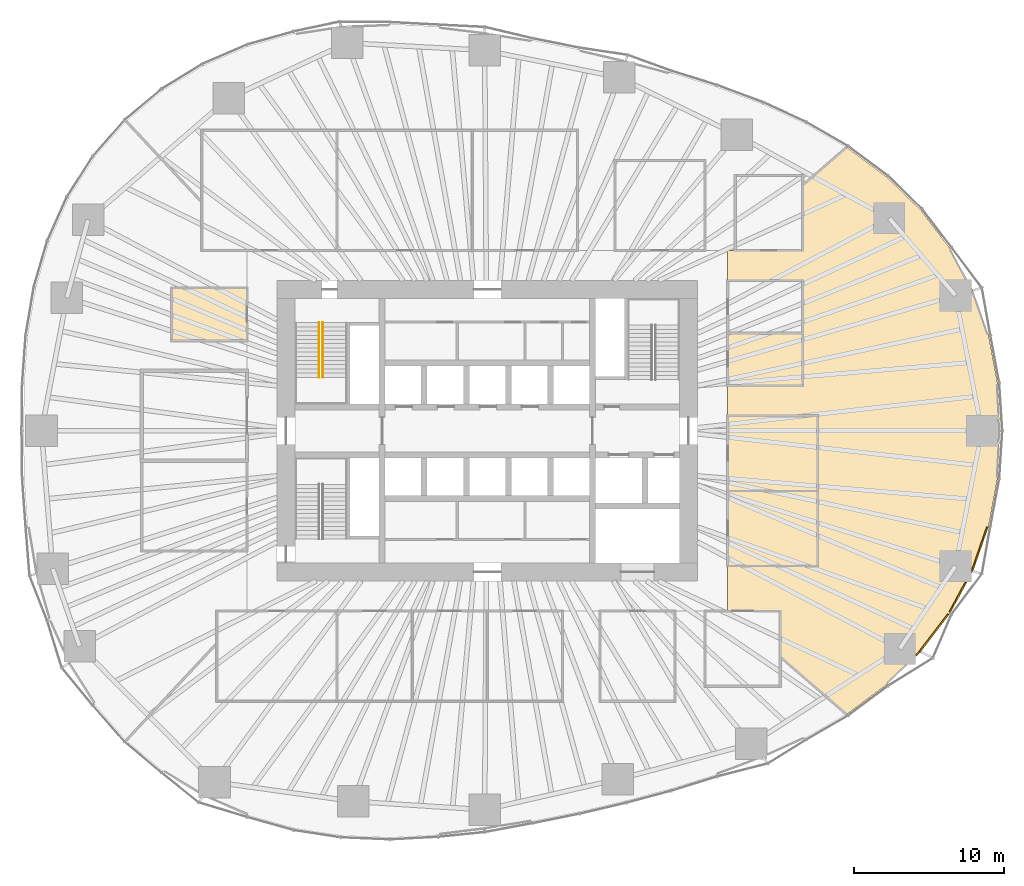
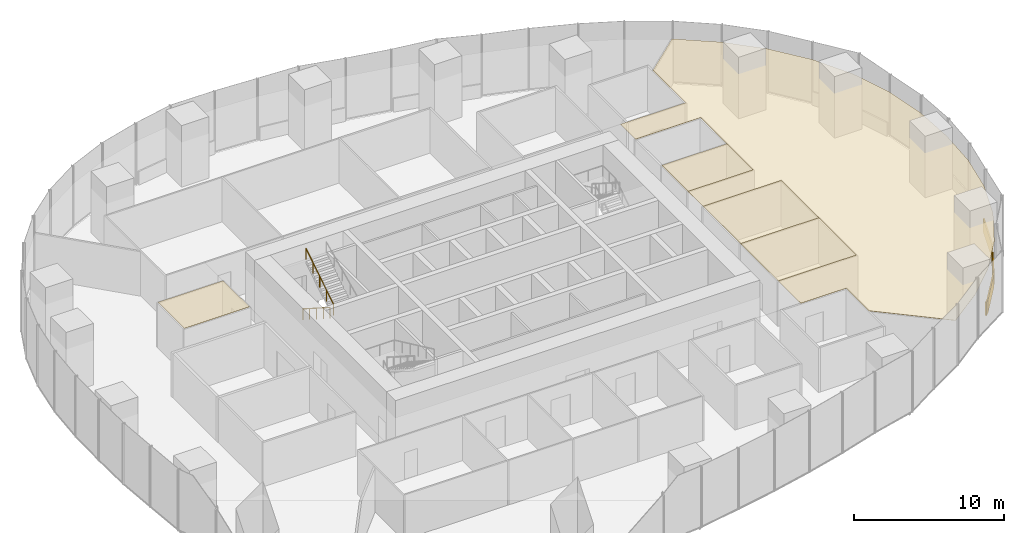
# One storey, part 18 of 20: 9 coverings, 2 railings.
"""IFC4 building model written with IfcOpenShell, lengths in metres."""

from ifc_helpers import new_model, si_unit, direction, frame, origin, origin_2d, place, context, subcontext, project, spatial, polyline, rectangle, circle, outline, extrude, material, layer, layer_set, type_object, element, save


model = new_model("IFC4")

# Units and contexts
model_context = context("Model", 3, precision=1e-05, world=origin(), true_north=direction((0.0, 1.0)))
body_context = subcontext(model_context, "Body", "Model", "MODEL_VIEW")
ifc_project = project(units=[si_unit("LENGTHUNIT", "METRE"), si_unit("AREAUNIT", "SQUARE_METRE"), si_unit("VOLUMEUNIT", "CUBIC_METRE"), si_unit("PLANEANGLEUNIT", "RADIAN"), si_unit("MASSUNIT", "GRAM", prefix="KILO")], contexts=[model_context])

# Site, building, storey
site_placement = place(None, origin())
site = spatial("IfcSite", under=ifc_project, at=site_placement, CompositionType="ELEMENT")
building_placement = place(site_placement, origin())
building = spatial("IfcBuilding", under=site, at=building_placement, Name="Ghaith Harvest Tower", CompositionType="ELEMENT")
storey_placement = place(building_placement, frame((0.0, 0.0, 25.0)))
storey = spatial("IfcBuildingStorey", under=building, at=storey_placement, Name="L05", CompositionType="ELEMENT", Elevation=25.0)

# Coverings
ifc_material_1 = material(Name="Mineral fibre ceiling tile", Category="gypsum")
ifc_layer_1 = layer(ifc_material_1, 0.02490234375)
ifc_layer_set_1 = layer_set([ifc_layer_1], Name="CEILING C2")
covering_type_1 = type_object("IfcCoveringType", Name="CEILING C2", PredefinedType="CEILING", material=ifc_layer_set_1)
covering_1_placement = place(storey_placement, frame((0.0, 0.0, 3.60009765625)))
element("IfcCovering", 1, at=covering_1_placement, inside=storey, type_object=covering_type_1, Name="Ceiling L05-10", PredefinedType="CEILING", context=body_context, shape_type="SweptSolid", body=[
    extrude(outline(polyline([(16.0, -9.0), (22.0, -9.0), (22.0, -4.0), (16.0, -4.0), (16.0, -9.0)])), origin(), (0.0, 0.0, 1.0), 0.02490234375),
])
covering_2_placement = place(storey_placement, frame((0.0, 0.0, 3.60009765625)))
element("IfcCovering", 2, at=covering_2_placement, inside=storey, type_object=covering_type_1, Name="Ceiling L05-11", PredefinedType="CEILING", context=body_context, shape_type="SweptSolid", body=[
    extrude(outline(polyline([(16.0, -4.0), (22.0, -4.0), (22.0, 1.0), (16.0, 1.0), (16.0, -4.0)])), origin(), (0.0, 0.0, 1.0), 0.02490234375),
])
covering_3_placement = place(storey_placement, frame((0.0, 0.0, 3.60009765625)))
element("IfcCovering", 3, at=covering_3_placement, inside=storey, type_object=covering_type_1, Name="Ceiling L05-16", PredefinedType="CEILING", context=body_context, shape_type="SweptSolid", body=[
    extrude(outline(polyline([(16.0, 3.0), (21.0, 3.0), (21.0, 6.5), (16.0, 6.5), (16.0, 3.0)])), origin(), (0.0, 0.0, 1.0), 0.02490234375),
])
covering_4_placement = place(storey_placement, frame((0.0, 0.0, 3.60009765625)))
element("IfcCovering", 4, at=covering_4_placement, inside=storey, type_object=covering_type_1, Name="Ceiling L05-18", PredefinedType="CEILING", context=body_context, shape_type="SweptSolid", body=[
    extrude(outline(polyline([(-21.0, 6.0), (-16.0, 6.0), (-16.0, 9.5), (-21.0, 9.5), (-21.0, 6.0)])), origin(), (0.0, 0.0, 1.0), 0.02490234375),
])
covering_5_placement = place(storey_placement, frame((0.0, 0.0, 3.60009765625)))
element("IfcCovering", 5, at=covering_5_placement, inside=storey, type_object=covering_type_1, Name="Ceiling L05-E1", PredefinedType="CEILING", context=body_context, shape_type="SweptSolid", body=[
    extrude(outline(polyline([(28.840087890625, 14.708984375), (30.78515625, 12.1708984375), (32.318359375, 9.3408203125), (33.37158203125, 6.333984375), (33.95849609375, 3.194091796875), (34.125, 0.0), (33.95849609375, -3.194091796875), (33.37158203125, -6.333984375), (32.318359375, -9.3408203125), (30.78515625, -12.1708984375), (28.840087890625, -14.708984375), (26.572509765625, -16.9111328125), (23.92431640625, -18.873046875), (19.5, -15.03564453125), (19.5, -12.0), (16.0, -12.0), (16.0, -9.0), (22.0, -9.0), (22.0, 1.0), (16.0, 1.0), (16.0, 3.0), (21.0, 3.0), (21.0, 10.0), (16.0, 10.0), (16.0, 12.0), (21.0, 12.0), (21.0, 16.336669921875), (23.92431640625, 18.873046875), (26.572509765625, 16.9111328125), (28.840087890625, 14.708984375)])), origin(), (0.0, 0.0, 1.0), 0.02490234375),
])

# Railings
ifc_material_2 = material(Name="Steel, black powder-coated", Category="steel")
railing_type = type_object("IfcRailingType", Name="HANDRAIL HR1", PredefinedType="HANDRAIL", material=ifc_material_2)
railing_1_placement = place(storey_placement, frame((-11.199951171875, 7.199951171875, 0.178466796875)))
element("IfcRailing", 6, at=railing_1_placement, inside=storey, type_object=railing_type, Name="Handrail HR1 stair ST1 L05 flight 1 inner", PredefinedType="HANDRAIL", context=body_context, shape_type="SweptSolid", body=[
    extrude(circle(Radius=0.02392578125, at=origin_2d()), frame((0.0, 0.0, 0.8759765625), z_axis=(0.0, -0.843111507901, 0.53773877045), x_axis=(1.0, 0.0, 0.0)), (0.0, 0.0, 1.0), 4.317138671875),
    extrude(circle(Radius=0.02099609375, at=origin_2d()), origin(), (0.0, 0.0, 1.0), 0.851806640625),
    extrude(circle(Radius=0.02099609375, at=origin_2d()), frame((0.0, -0.909912109375, 0.580322265625)), (0.0, 0.0, 1.0), 0.851806640625),
    extrude(circle(Radius=0.02099609375, at=origin_2d()), frame((0.0, -1.81982421875, 1.16064453125)), (0.0, 0.0, 1.0), 0.851806640625),
    extrude(circle(Radius=0.02099609375, at=origin_2d()), frame((0.0, -2.72998046875, 1.7412109375)), (0.0, 0.0, 1.0), 0.851806640625),
    extrude(circle(Radius=0.02099609375, at=origin_2d()), frame((0.0, -3.639892578125, 2.321533203125)), (0.0, 0.0, 1.0), 0.851806640625),
])
railing_2_placement = place(storey_placement, frame((-10.949951171875, 3.56005859375, 2.678466796875)))
element("IfcRailing", 7, at=railing_2_placement, inside=storey, type_object=railing_type, Name="Handrail HR1 stair ST1 L05 flight 2 inner", PredefinedType="HANDRAIL", context=body_context, shape_type="SweptSolid", body=[
    extrude(circle(Radius=0.02392578125, at=origin_2d()), frame((0.0, 0.0, 0.8759765625), z_axis=(0.0, 0.843111507901, 0.53773877045), x_axis=(-1.0, 0.0, 0.0)), (0.0, 0.0, 1.0), 4.317138671875),
    extrude(circle(Radius=0.02099609375, at=origin_2d()), origin(), (0.0, 0.0, 1.0), 0.851806640625),
    extrude(circle(Radius=0.02099609375, at=origin_2d()), frame((0.0, 0.909912109375, 0.580322265625)), (0.0, 0.0, 1.0), 0.851806640625),
    extrude(circle(Radius=0.02099609375, at=origin_2d()), frame((0.0, 1.81982421875, 1.16064453125)), (0.0, 0.0, 1.0), 0.851806640625),
    extrude(circle(Radius=0.02099609375, at=origin_2d()), frame((0.0, 2.72998046875, 1.7412109375)), (0.0, 0.0, 1.0), 0.851806640625),
    extrude(circle(Radius=0.02099609375, at=origin_2d()), frame((0.0, 3.639892578125, 2.321533203125)), (0.0, 0.0, 1.0), 0.851806640625),
])

# Coverings
ifc_material_3 = material(Name="Insulated aluminium spandrel panel on steel framing", Category="steel")
ifc_layer_2 = layer(ifc_material_3, 0.10009765625)
ifc_layer_set_2 = layer_set([ifc_layer_2], Name="SLAB EDGE UPSTAND 1100x100")
covering_type_2 = type_object("IfcCoveringType", Name="SLAB EDGE UPSTAND 1100x100", PredefinedType="CLADDING", material=ifc_layer_set_2)
covering_6_placement = place(storey_placement, frame((28.674560546875, -14.800048828125, 0.0), z_axis=(0.0, 0.0, 1.0), x_axis=(0.717386427289, 0.69667547247, 0.0)))
element("IfcCovering", 8, at=covering_6_placement, inside=storey, type_object=covering_type_2, Name="Slab edge upstand 1 bay 19 L05", PredefinedType="CLADDING", context=body_context, shape_type="SweptSolid", body=[
    extrude(rectangle(XDim=0.364501953125, YDim=0.10009765625, at=origin_2d()), origin(), (0.0, 0.0, 1.0), 1.10009765625),
])
covering_7_placement = place(storey_placement, frame((29.74267578125, -13.44921875, 0.0), z_axis=(0.0, 0.0, 1.0), x_axis=(0.608255123652, 0.7937415855, 0.0)))
element("IfcCovering", 9, at=covering_7_placement, inside=storey, type_object=covering_type_2, Name="Slab edge upstand 2 bay 19 L05", PredefinedType="CLADDING", context=body_context, shape_type="SweptSolid", body=[
    extrude(rectangle(XDim=3.09765625, YDim=0.10009765625, at=origin_2d()), origin(), (0.0, 0.0, 1.0), 1.10009765625),
])
covering_8_placement = place(storey_placement, frame((31.32177734375, -11.075439453125, 0.0), z_axis=(0.0, 0.0, 1.0), x_axis=(0.4763492928, 0.879256135178, 0.0)))
element("IfcCovering", 10, at=covering_8_placement, inside=storey, type_object=covering_type_2, Name="Slab edge upstand 3 bay 19 L05", PredefinedType="CLADDING", context=body_context, shape_type="SweptSolid", body=[
    extrude(rectangle(XDim=2.237548828125, YDim=0.10009765625, at=origin_2d()), origin(), (0.0, 0.0, 1.0), 1.10009765625),
])
covering_9_placement = place(storey_placement, frame((32.7822265625, -7.865234375, 0.0), z_axis=(0.0, 0.0, 1.0), x_axis=(0.330597697302, 0.943771774604, 0.0)))
element("IfcCovering", 11, at=covering_9_placement, inside=storey, type_object=covering_type_2, Name="Slab edge upstand 1 bay 20 L05", PredefinedType="CLADDING", context=body_context, shape_type="SweptSolid", body=[
    extrude(rectangle(XDim=3.080078125, YDim=0.10009765625, at=origin_2d()), origin(), (0.0, 0.0, 1.0), 1.10009765625),
])

save(model, "model.ifc")
